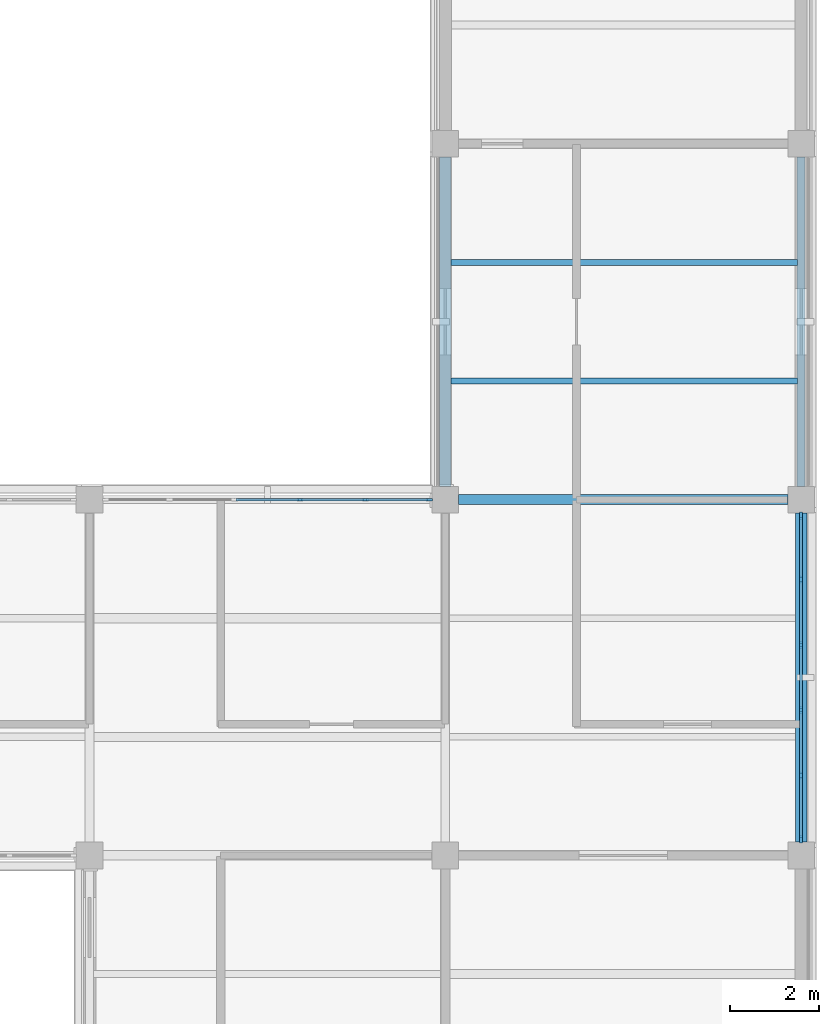
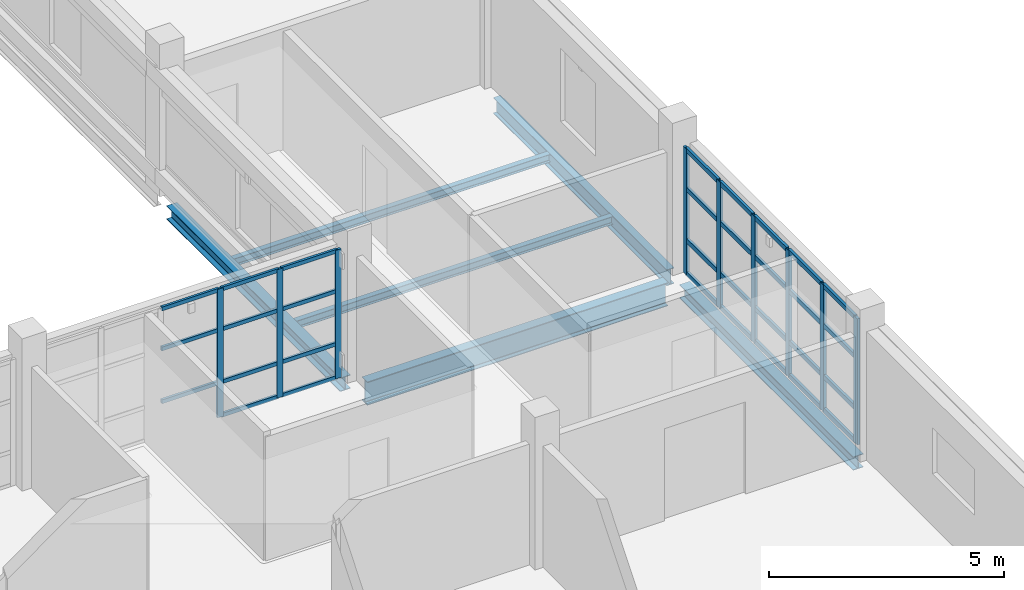
# One storey, part 56 of 126: 40 members, 6 beams, 2 elements without a shape of their own.
"""IFC4 building model written with IfcOpenShell, lengths in metres."""

import ifcopenshell
import ifcopenshell.guid

model = None  # the IFC model being written
_history = None  # IfcOwnerHistory: only IFC2X3 demands one
_inside = {}  # id of a spatial element -> (the spatial element, [elements in it])
_under = {}  # id of a project, library or spatial element -> (it, [spatial elements below it])
_declared = {}  # id of a project -> (the project, [libraries it declares])
_typed = {}  # id of a type object -> (the type object, [elements of that type])
_made_of = {}  # id of a material, layer set ... -> (it, [elements and type objects made of it])


def new_model(schema):
    """Start an empty IFC model of exactly this schema.

    Asked for "IFC4X3", IfcOpenShell would pick the latest addendum, in which some entities
    have other attributes; the version numbers below select the first issue.
    IFC2X3 requires an IfcOwnerHistory on every rooted entity: one is made here for all.
    """
    global model, _history
    if schema == "IFC4X3":
        model = ifcopenshell.file(schema_version=(4, 3, 0, 0))
    else:
        model = ifcopenshell.file(schema=schema)
    _inside.clear()
    _under.clear()
    _declared.clear()
    _typed.clear()
    _made_of.clear()
    _history = None
    if model.schema == "IFC2X3":
        org = make("IfcOrganization", Name="unknown")
        user = make(
            "IfcPersonAndOrganization",
            ThePerson=make("IfcPerson", FamilyName="unknown"),
            TheOrganization=org,
        )
        app = make(
            "IfcApplication",
            ApplicationDeveloper=org,
            Version="unknown",
            ApplicationFullName="unknown",
            ApplicationIdentifier="unknown",
        )
        _history = make(
            "IfcOwnerHistory",
            OwningUser=user,
            OwningApplication=app,
            ChangeAction="ADDED",
            CreationDate=0,
        )
    return model


def make(cls, **values):
    """One entity of the class cls with the attributes given. An attribute that is None is left unset."""
    return model.create_entity(
        cls, **{name: value for name, value in values.items() if value is not None}
    )


def rooted(cls, **values):
    """An entity with a GlobalId (a new one), such as an element, a storey or a relation."""
    return make(cls, GlobalId=ifcopenshell.guid.new(), OwnerHistory=_history, **values)


def si_unit(unit_type, name, prefix=None):
    """IfcSIUnit, for example si_unit("LENGTHUNIT", "METRE", prefix="MILLI")."""
    return make("IfcSIUnit", UnitType=unit_type, Prefix=prefix, Name=name)


def derived_unit(unit_type, elements):
    """IfcDerivedUnit: a product of units, each with its exponent."""
    return make(
        "IfcDerivedUnit",
        Elements=[
            make("IfcDerivedUnitElement", Unit=unit, Exponent=power)
            for unit, power in elements
        ],
        UnitType=unit_type,
    )


def assignment(units):
    """IfcUnitAssignment: the units of a project."""
    return None if units is None else make("IfcUnitAssignment", Units=units)


def point(xyz):
    """IfcCartesianPoint."""
    return None if xyz is None else make("IfcCartesianPoint", Coordinates=xyz)


def direction(xyz):
    """IfcDirection."""
    return None if xyz is None else make("IfcDirection", DirectionRatios=xyz)


def frame(location, z_axis=None, x_axis=None):
    """IfcAxis2Placement3D, a coordinate frame: its origin and axes. An axis left out is left unset."""
    return make(
        "IfcAxis2Placement3D",
        Location=point(location),
        Axis=direction(z_axis),
        RefDirection=direction(x_axis),
    )


def frame_2d(location, x_axis=None):
    """IfcAxis2Placement2D, a coordinate frame in the plane: its origin and x axis."""
    return make(
        "IfcAxis2Placement2D", Location=point(location), RefDirection=direction(x_axis)
    )


def origin():
    """The frame at (0, 0, 0) with its axes left unset."""
    return frame((0.0, 0.0, 0.0))


def origin_2d():
    """The frame at (0, 0) in the plane with its x axis left unset."""
    return frame_2d((0.0, 0.0))


def place(relative_to, where):
    """IfcLocalPlacement: puts the frame where relative to a parent placement (None: the world)."""
    return make(
        "IfcLocalPlacement", PlacementRelTo=relative_to, RelativePlacement=where
    )


def context(
    kind, dimensions, precision=None, world=None, true_north=None, identifier=None
):
    """IfcGeometricRepresentationContext, for example the 3D "Model" context."""
    return make(
        "IfcGeometricRepresentationContext",
        ContextIdentifier=identifier,
        ContextType=kind,
        CoordinateSpaceDimension=dimensions,
        Precision=precision,
        WorldCoordinateSystem=world,
        TrueNorth=true_north,
    )


def subcontext(parent, identifier, kind, view, scale=None):
    """IfcGeometricRepresentationSubContext, for example "Body" below "Model"."""
    return make(
        "IfcGeometricRepresentationSubContext",
        ContextIdentifier=identifier,
        ContextType=kind,
        ParentContext=parent,
        TargetScale=scale,
        TargetView=view,
    )


def project(units=None, contexts=None):
    """IfcProject with its units and contexts."""
    return rooted(
        "IfcProject",
        Name="project",
        RepresentationContexts=contexts,
        UnitsInContext=assignment(units),
    )


def spatial(cls, under=None, at=None, **own):
    """A site, building, storey or space (cls), placed at a placement, below another one or the project."""
    s = rooted(cls, ObjectPlacement=at, **own)
    if under is not None:
        _under.setdefault(under.id(), (under, []))[1].append(s)
    return s


def profile(cls, at=None, kind="AREA", **sizes):
    """A parametric profile (cls). Its sizes go by their IFC names, for example OverallWidth=200.0."""
    return make(cls, ProfileType=kind, Position=at, **sizes)


def rectangle(**sizes):
    """IfcRectangleProfileDef."""
    return profile("IfcRectangleProfileDef", **sizes)


def i_section(**sizes):
    """IfcIShapeProfileDef."""
    return profile("IfcIShapeProfileDef", **sizes)


def extrude(swept, where, along, depth):
    """IfcExtrudedAreaSolid: the profile swept, set in the frame where, extruded along a direction by depth."""
    return make(
        "IfcExtrudedAreaSolid",
        SweptArea=swept,
        Position=where,
        ExtrudedDirection=direction(along),
        Depth=depth,
    )


def shape(context_of_items, identifier, shape_type, items):
    """IfcShapeRepresentation: the items that make up one representation, for example the "Body"."""
    return make(
        "IfcShapeRepresentation",
        ContextOfItems=context_of_items,
        RepresentationIdentifier=identifier,
        RepresentationType=shape_type,
        Items=items,
    )


def material(Name=None, Category=None):
    """IfcMaterial."""
    return make("IfcMaterial", Name=Name, Category=Category)


def layer(
    of_material, thickness, ventilated=None, Name=None, Category=None, Priority=None
):
    """IfcMaterialLayer: one layer of a wall or slab, of a material (None: an air gap)."""
    return make(
        "IfcMaterialLayer",
        Material=of_material,
        LayerThickness=thickness,
        IsVentilated=ventilated,
        Name=Name,
        Category=Category,
        Priority=Priority,
    )


def layer_set(layers, Name=None):
    """IfcMaterialLayerSet."""
    return make("IfcMaterialLayerSet", MaterialLayers=layers, LayerSetName=Name)


def material_profile(
    of_material, cross_section, Name=None, Category=None, Priority=None
):
    """IfcMaterialProfile: a cross section and its material."""
    return make(
        "IfcMaterialProfile",
        Name=Name,
        Material=of_material,
        Profile=cross_section,
        Priority=Priority,
        Category=Category,
    )


def profile_set(profiles, Name=None, composite=None):
    """IfcMaterialProfileSet."""
    return make(
        "IfcMaterialProfileSet",
        Name=Name,
        MaterialProfiles=profiles,
        CompositeProfile=composite,
    )


def made_of(thing, what):
    """Note that an element or type object is made of a material, layer set ...; save() writes the relation."""
    if what is not None:
        _made_of.setdefault(what.id(), (what, []))[1].append(thing)
    return thing


def type_object(cls, material=None, **own):
    """A type object (cls), such as IfcWallType, which elements share."""
    return made_of(rooted(cls, **own), material)


def element(
    cls,
    number,
    at=None,
    inside=None,
    cuts=None,
    type_object=None,
    material=None,
    context=None,
    identifier="Body",
    shape_type=None,
    held_by="IfcProductDefinitionShape",
    body=None,
    shapes=None,
    **own,
):
    """One element of the class cls, such as IfcWall. Its Tag is "e" and its number.

    at: its placement. inside: the storey or other place that contains it. cuts: it is an
    opening in that element (IfcRelVoidsElement). A single representation is given by context,
    identifier, shape_type and body (its items); several are given by shapes. held_by: the class
    of the entity that holds the representations. save() writes the other relations.
    """
    e = rooted(cls, Tag="e%d" % number, ObjectPlacement=at, **own)
    if body is not None:
        shapes = [shape(context, identifier, shape_type, body)]
    if shapes is not None:
        e.Representation = make(held_by, Representations=shapes)
    if inside is not None:
        _inside.setdefault(inside.id(), (inside, []))[1].append(e)
    if cuts is not None:
        rooted(
            "IfcRelVoidsElement", RelatingBuildingElement=cuts, RelatedOpeningElement=e
        )
    if type_object is not None:
        _typed.setdefault(type_object.id(), (type_object, []))[1].append(e)
    return made_of(e, material)


def aggregate(whole, parts):
    """IfcRelAggregates: a whole, such as a stair, and the parts it consists of."""
    return rooted("IfcRelAggregates", RelatingObject=whole, RelatedObjects=parts)


def save(model, path):
    """Write the relations noted so far, then the file.

    IfcRelAggregates (storeys below a building ...), IfcRelContainedInSpatialStructure (elements
    in a storey), IfcRelDefinesByType, IfcRelAssociatesMaterial and IfcRelDeclares: one each for
    every whole, place, type object, material and project.
    """
    for whole, parts in _under.values():
        aggregate(whole, parts)
    for where, things in _inside.values():
        rooted(
            "IfcRelContainedInSpatialStructure",
            RelatedElements=things,
            RelatingStructure=where,
        )
    for kind, things in _typed.values():
        rooted("IfcRelDefinesByType", RelatedObjects=things, RelatingType=kind)
    for what, things in _made_of.values():
        rooted("IfcRelAssociatesMaterial", RelatedObjects=things, RelatingMaterial=what)
    for by, libraries in _declared.values():
        rooted("IfcRelDeclares", RelatingContext=by, RelatedDefinitions=libraries)
    model.write(path)


model = new_model("IFC4")

# Units and contexts
model_context = context("Model", 3, precision=1e-05, world=origin(), true_north=direction((0.0, 1.0)))
body_context = subcontext(model_context, "Body", "Model", "MODEL_VIEW")
ifc_project = project(units=[si_unit("LENGTHUNIT", "METRE"), si_unit("AREAUNIT", "SQUARE_METRE"), si_unit("VOLUMEUNIT", "CUBIC_METRE"), si_unit("PLANEANGLEUNIT", "RADIAN"), si_unit("MASSUNIT", "GRAM", prefix="KILO"), derived_unit("THERMALTRANSMITTANCEUNIT", [(si_unit("MASSUNIT", "GRAM", prefix="KILO"), 1), (si_unit("TIMEUNIT", "SECOND"), -3), (si_unit("THERMODYNAMICTEMPERATUREUNIT", "KELVIN"), -1)])], contexts=[model_context])

# Site, building, storey
site_placement = place(None, origin())
site = spatial("IfcSite", under=ifc_project, at=site_placement, CompositionType="ELEMENT")
building_placement = place(site_placement, origin())
building = spatial("IfcBuilding", under=site, at=building_placement, Name="Veyamyaing Civic Hall", CompositionType="ELEMENT")
storey_placement = place(building_placement, frame((0.0, 0.0, 9.89990234375)))
storey = spatial("IfcBuildingStorey", under=building, at=storey_placement, Name="L02", CompositionType="ELEMENT", Elevation=9.89990234375)

# Beams
ifc_material_1 = material(Name="Steel ASTM A992", Category="steel")
ifc_material_profile_1 = material_profile(ifc_material_1, i_section(OverallWidth=0.22802734375, OverallDepth=0.60791015625, WebThickness=0.01123046875, FlangeThickness=0.017333984375, FilletRadius=0.012939453125, at=origin_2d()), Name="W610X113")
ifc_profile_set_1 = profile_set([ifc_material_profile_1], Name="Steel ASTM A992")
beam_type_1 = type_object("IfcBeamType", Name="B-06", PredefinedType="BEAM", material=ifc_profile_set_1)
beam_1_placement = place(storey_placement, frame((168.300048828125, 56.0, -0.5888671875), z_axis=(1.0, 0.0, 0.0), x_axis=(0.0, 1.0, 0.0)))
element("IfcBeam", 1, at=beam_1_placement, inside=storey, type_object=beam_type_1, Name="Girder B-06 L02 Grid H 22-23", PredefinedType="BEAM", context=body_context, shape_type="SweptSolid", body=[
    extrude(i_section(OverallWidth=0.22802734375, OverallDepth=0.60791015625, WebThickness=0.01123046875, FlangeThickness=0.017333984375, FilletRadius=0.012939453125, at=origin_2d()), origin(), (0.0, 0.0, 1.0), 7.39990234375),
])
ifc_material_profile_2 = material_profile(ifc_material_1, i_section(OverallWidth=0.179931640625, OverallDepth=0.4130859375, WebThickness=0.009765625, FlangeThickness=0.01611328125, FilletRadius=0.010009765625, at=origin_2d()), Name="W410X74")
ifc_profile_set_2 = profile_set([ifc_material_profile_2], Name="Steel ASTM A992")
beam_type_2 = type_object("IfcBeamType", Name="B-10", PredefinedType="SPANDREL", material=ifc_profile_set_2)
beam_2_placement = place(storey_placement, frame((176.0, 56.300048828125, -0.491455078125), z_axis=(0.0, 1.0, 0.0), x_axis=(-1.0, 0.0, 0.0)))
element("IfcBeam", 2, at=beam_2_placement, inside=storey, type_object=beam_type_2, Name="Girder B-10 L02 Grid 23 H-J", PredefinedType="SPANDREL", context=body_context, shape_type="SweptSolid", body=[
    extrude(i_section(OverallWidth=0.179931640625, OverallDepth=0.4130859375, WebThickness=0.009765625, FlangeThickness=0.01611328125, FilletRadius=0.010009765625, at=origin_2d()), origin(), (0.0, 0.0, 1.0), 7.39990234375),
])
ifc_material_profile_3 = material_profile(ifc_material_1, i_section(OverallWidth=0.25390625, OverallDepth=0.35302734375, WebThickness=0.009521484375, FlangeThickness=0.016357421875, FilletRadius=0.011962890625, at=origin_2d()), Name="W360X91")
ifc_profile_set_3 = profile_set([ifc_material_profile_3], Name="Steel ASTM A992")
beam_type_3 = type_object("IfcBeamType", Name="B-20", PredefinedType="SPANDREL", material=ifc_profile_set_3)
for number, where, z_axis, x_axis, name in (
    (3, (168.0, 56.300048828125, -0.46142578125), (0.0, 1.0, 0.0), (-1.0, 0.0, 0.0), "Girder B-20 L02 Grid 22 H-J"),
    (4, (176.0, 48.300048828125, -0.46142578125), (0.0, 1.0, 0.0), (-1.0, 0.0, 0.0), "Girder B-20 L02 Grid 23 G-H"),
):
    element("IfcBeam", number, at=place(storey_placement, frame(where, z_axis=z_axis, x_axis=x_axis)), inside=storey, type_object=beam_type_3, Name=name, PredefinedType="SPANDREL", context=body_context, shape_type="SweptSolid", body=[
        extrude(i_section(OverallWidth=0.25390625, OverallDepth=0.35302734375, WebThickness=0.009521484375, FlangeThickness=0.016357421875, FilletRadius=0.011962890625, at=origin_2d()), origin(), (0.0, 0.0, 1.0), 7.39990234375),
    ])

# Curtain wall, members
ifc_material_2 = material(Name="Anodised aluminium 6063-T6", Category="aluminium")
ifc_layer_1 = layer(ifc_material_2, 0.159912109375, Name="Anodised aluminium 6063-T6")
ifc_layer_set_1 = layer_set([ifc_layer_1], Name="Anodised aluminium 6063-T6")
curtain_wall_type_1 = type_object("IfcCurtainWallType", Name="CW-03", PredefinedType="NOTDEFINED", material=ifc_layer_set_1)
curtain_wall_1_placement = place(storey_placement, origin())
curtain_wall_1 = element("IfcCurtainWall", 5, at=curtain_wall_1_placement, inside=storey, type_object=curtain_wall_type_1, Name="Unitized curtain wall CW-03 L02 E 22.7", PredefinedType="NOTDEFINED")
ifc_material_profile_4 = material_profile(ifc_material_2, rectangle(XDim=0.06494140625, YDim=0.159912109375, at=origin_2d()), Name="ALU-MUL-65X160")
ifc_profile_set_4 = profile_set([ifc_material_profile_4], Name="Anodised aluminium 6063-T6")
member_type_1 = type_object("IfcMemberType", Name="CWM-01", PredefinedType="MULLION", material=ifc_profile_set_4)
member_1_placement = place(storey_placement, frame((176.0, 48.362548828125, 0.0), z_axis=(0.0, 0.0, 1.0), x_axis=(-1.0, 0.0, 0.0)))
member_1 = element("IfcMember", 6, at=member_1_placement, type_object=member_type_1, Name="CW-03 mullion 1", PredefinedType="MULLION", context=body_context, shape_type="SweptSolid", body=[
    extrude(rectangle(XDim=0.06494140625, YDim=0.159912109375, at=origin_2d()), origin(), (0.0, 0.0, 1.0), 3.2841796875),
])
member_2_placement = place(storey_placement, frame((176.0, 49.798095703125, 0.0), z_axis=(0.0, 0.0, 1.0), x_axis=(-1.0, 0.0, 0.0)))
member_2 = element("IfcMember", 7, at=member_2_placement, type_object=member_type_1, Name="CW-03 mullion 2", PredefinedType="MULLION", context=body_context, shape_type="SweptSolid", body=[
    extrude(rectangle(XDim=0.06494140625, YDim=0.159912109375, at=origin_2d()), origin(), (0.0, 0.0, 1.0), 3.2841796875),
])
member_3_placement = place(storey_placement, frame((176.0, 51.26611328125, 0.0), z_axis=(0.0, 0.0, 1.0), x_axis=(-1.0, 0.0, 0.0)))
member_3 = element("IfcMember", 8, at=member_3_placement, type_object=member_type_1, Name="CW-03 mullion 3", PredefinedType="MULLION", context=body_context, shape_type="SweptSolid", body=[
    extrude(rectangle(XDim=0.06494140625, YDim=0.159912109375, at=origin_2d()), origin(), (0.0, 0.0, 1.0), 3.2841796875),
])
member_4_placement = place(storey_placement, frame((176.0, 52.73388671875, 0.0), z_axis=(0.0, 0.0, 1.0), x_axis=(-1.0, 0.0, 0.0)))
member_4 = element("IfcMember", 9, at=member_4_placement, type_object=member_type_1, Name="CW-03 mullion 4", PredefinedType="MULLION", context=body_context, shape_type="SweptSolid", body=[
    extrude(rectangle(XDim=0.06494140625, YDim=0.159912109375, at=origin_2d()), origin(), (0.0, 0.0, 1.0), 3.2841796875),
])
member_5_placement = place(storey_placement, frame((176.0, 54.201904296875, 0.0), z_axis=(0.0, 0.0, 1.0), x_axis=(-1.0, 0.0, 0.0)))
member_5 = element("IfcMember", 10, at=member_5_placement, type_object=member_type_1, Name="CW-03 mullion 5", PredefinedType="MULLION", context=body_context, shape_type="SweptSolid", body=[
    extrude(rectangle(XDim=0.06494140625, YDim=0.159912109375, at=origin_2d()), origin(), (0.0, 0.0, 1.0), 3.2841796875),
])
member_6_placement = place(storey_placement, frame((176.0, 55.637451171875, 0.0), z_axis=(0.0, 0.0, 1.0), x_axis=(-1.0, 0.0, 0.0)))
member_6 = element("IfcMember", 11, at=member_6_placement, type_object=member_type_1, Name="CW-03 mullion 6", PredefinedType="MULLION", context=body_context, shape_type="SweptSolid", body=[
    extrude(rectangle(XDim=0.06494140625, YDim=0.159912109375, at=origin_2d()), origin(), (0.0, 0.0, 1.0), 3.2841796875),
])

ifc_layer_2 = layer(ifc_material_2, 0.139892578125, Name="Anodised aluminium 6063-T6")
ifc_layer_set_2 = layer_set([ifc_layer_2], Name="Anodised aluminium 6063-T6")
curtain_wall_type_2 = type_object("IfcCurtainWallType", Name="CW-04", PredefinedType="NOTDEFINED", material=ifc_layer_set_2)
curtain_wall_2_placement = place(storey_placement, origin())
curtain_wall_2 = element("IfcCurtainWall", 12, at=curtain_wall_2_placement, inside=storey, type_object=curtain_wall_type_2, Name="Unitized curtain wall CW-04 L02 N 21.7", PredefinedType="NOTDEFINED")
ifc_material_profile_5 = material_profile(ifc_material_2, rectangle(XDim=0.06005859375, YDim=0.139892578125, at=origin_2d()), Name="ALU-MUL-60X140")
ifc_profile_set_5 = profile_set([ifc_material_profile_5], Name="Anodised aluminium 6063-T6")
member_type_2 = type_object("IfcMemberType", Name="CWM-03", PredefinedType="MULLION", material=ifc_profile_set_5)
member_7_placement = place(storey_placement, frame((164.73388671875, 56.0, 0.0), z_axis=(0.0, 0.0, 1.0), x_axis=(0.0, 1.0, 0.0)))
member_7 = element("IfcMember", 13, at=member_7_placement, type_object=member_type_2, Name="CW-04 mullion 4", PredefinedType="MULLION", context=body_context, shape_type="SweptSolid", body=[
    extrude(rectangle(XDim=0.06005859375, YDim=0.139892578125, at=origin_2d()), origin(), (0.0, 0.0, 1.0), 3.343994140625),
])
member_8_placement = place(storey_placement, frame((166.201904296875, 56.0, 0.0), z_axis=(0.0, 0.0, 1.0), x_axis=(0.0, 1.0, 0.0)))
member_8 = element("IfcMember", 14, at=member_8_placement, type_object=member_type_2, Name="CW-04 mullion 5", PredefinedType="MULLION", context=body_context, shape_type="SweptSolid", body=[
    extrude(rectangle(XDim=0.06005859375, YDim=0.139892578125, at=origin_2d()), origin(), (0.0, 0.0, 1.0), 3.343994140625),
])
member_9_placement = place(storey_placement, frame((167.639892578125, 56.0, 0.0), z_axis=(0.0, 0.0, 1.0), x_axis=(0.0, 1.0, 0.0)))
member_9 = element("IfcMember", 15, at=member_9_placement, type_object=member_type_2, Name="CW-04 mullion 6", PredefinedType="MULLION", context=body_context, shape_type="SweptSolid", body=[
    extrude(rectangle(XDim=0.06005859375, YDim=0.139892578125, at=origin_2d()), origin(), (0.0, 0.0, 1.0), 3.343994140625),
])

# Member
ifc_material_profile_6 = material_profile(ifc_material_2, rectangle(XDim=0.06494140625, YDim=0.1201171875, at=origin_2d()), Name="ALU-TRN-65X120")
ifc_profile_set_6 = profile_set([ifc_material_profile_6], Name="Anodised aluminium 6063-T6")
member_type_3 = type_object("IfcMemberType", Name="CWT-01", PredefinedType="USERDEFINED", material=ifc_profile_set_6)
member_10_placement = place(storey_placement, frame((176.0, 48.39501953125, 0.03271484375), z_axis=(0.0, 1.0, 0.0), x_axis=(-1.0, 0.0, 0.0)))
member_10 = element("IfcMember", 16, at=member_10_placement, type_object=member_type_3, Name="CW-03 transom 1.1", ObjectType="TRANSOM", PredefinedType="USERDEFINED", context=body_context, shape_type="SweptSolid", body=[
    extrude(rectangle(XDim=0.06494140625, YDim=0.1201171875, at=origin_2d()), origin(), (0.0, 0.0, 1.0), 1.370361328125),
])

member_11_placement = place(storey_placement, frame((176.0, 48.39501953125, 0.900146484375), z_axis=(0.0, 1.0, 0.0), x_axis=(-1.0, 0.0, 0.0)))
member_11 = element("IfcMember", 17, at=member_11_placement, type_object=member_type_3, Name="CW-03 transom 1.2", ObjectType="TRANSOM", PredefinedType="USERDEFINED", context=body_context, shape_type="SweptSolid", body=[
    extrude(rectangle(XDim=0.06494140625, YDim=0.1201171875, at=origin_2d()), origin(), (0.0, 0.0, 1.0), 1.370361328125),
])

member_12_placement = place(storey_placement, frame((176.0, 48.39501953125, 2.233154296875), z_axis=(0.0, 1.0, 0.0), x_axis=(-1.0, 0.0, 0.0)))
member_12 = element("IfcMember", 18, at=member_12_placement, type_object=member_type_3, Name="CW-03 transom 1.3", ObjectType="TRANSOM", PredefinedType="USERDEFINED", context=body_context, shape_type="SweptSolid", body=[
    extrude(rectangle(XDim=0.06494140625, YDim=0.1201171875, at=origin_2d()), origin(), (0.0, 0.0, 1.0), 1.370361328125),
])

member_13_placement = place(storey_placement, frame((176.0, 48.39501953125, 3.251708984375), z_axis=(0.0, 1.0, 0.0), x_axis=(-1.0, 0.0, 0.0)))
member_13 = element("IfcMember", 19, at=member_13_placement, type_object=member_type_3, Name="CW-03 transom 1.4", ObjectType="TRANSOM", PredefinedType="USERDEFINED", context=body_context, shape_type="SweptSolid", body=[
    extrude(rectangle(XDim=0.06494140625, YDim=0.1201171875, at=origin_2d()), origin(), (0.0, 0.0, 1.0), 1.370361328125),
])

member_14_placement = place(storey_placement, frame((176.0, 49.83056640625, 0.03271484375), z_axis=(0.0, 1.0, 0.0), x_axis=(-1.0, 0.0, 0.0)))
member_14 = element("IfcMember", 20, at=member_14_placement, type_object=member_type_3, Name="CW-03 transom 2.1", ObjectType="TRANSOM", PredefinedType="USERDEFINED", context=body_context, shape_type="SweptSolid", body=[
    extrude(rectangle(XDim=0.06494140625, YDim=0.1201171875, at=origin_2d()), origin(), (0.0, 0.0, 1.0), 1.40283203125),
])

member_15_placement = place(storey_placement, frame((176.0, 49.83056640625, 0.900146484375), z_axis=(0.0, 1.0, 0.0), x_axis=(-1.0, 0.0, 0.0)))
member_15 = element("IfcMember", 21, at=member_15_placement, type_object=member_type_3, Name="CW-03 transom 2.2", ObjectType="TRANSOM", PredefinedType="USERDEFINED", context=body_context, shape_type="SweptSolid", body=[
    extrude(rectangle(XDim=0.06494140625, YDim=0.1201171875, at=origin_2d()), origin(), (0.0, 0.0, 1.0), 1.40283203125),
])

member_16_placement = place(storey_placement, frame((176.0, 49.83056640625, 2.233154296875), z_axis=(0.0, 1.0, 0.0), x_axis=(-1.0, 0.0, 0.0)))
member_16 = element("IfcMember", 22, at=member_16_placement, type_object=member_type_3, Name="CW-03 transom 2.3", ObjectType="TRANSOM", PredefinedType="USERDEFINED", context=body_context, shape_type="SweptSolid", body=[
    extrude(rectangle(XDim=0.06494140625, YDim=0.1201171875, at=origin_2d()), origin(), (0.0, 0.0, 1.0), 1.40283203125),
])

member_17_placement = place(storey_placement, frame((176.0, 49.83056640625, 3.251708984375), z_axis=(0.0, 1.0, 0.0), x_axis=(-1.0, 0.0, 0.0)))
member_17 = element("IfcMember", 23, at=member_17_placement, type_object=member_type_3, Name="CW-03 transom 2.4", ObjectType="TRANSOM", PredefinedType="USERDEFINED", context=body_context, shape_type="SweptSolid", body=[
    extrude(rectangle(XDim=0.06494140625, YDim=0.1201171875, at=origin_2d()), origin(), (0.0, 0.0, 1.0), 1.40283203125),
])

member_18_placement = place(storey_placement, frame((176.0, 51.298583984375, 0.03271484375), z_axis=(0.0, 1.0, 0.0), x_axis=(-1.0, 0.0, 0.0)))
member_18 = element("IfcMember", 24, at=member_18_placement, type_object=member_type_3, Name="CW-03 transom 3.1", ObjectType="TRANSOM", PredefinedType="USERDEFINED", context=body_context, shape_type="SweptSolid", body=[
    extrude(rectangle(XDim=0.06494140625, YDim=0.1201171875, at=origin_2d()), origin(), (0.0, 0.0, 1.0), 1.40283203125),
])

member_19_placement = place(storey_placement, frame((176.0, 51.298583984375, 0.900146484375), z_axis=(0.0, 1.0, 0.0), x_axis=(-1.0, 0.0, 0.0)))
member_19 = element("IfcMember", 25, at=member_19_placement, type_object=member_type_3, Name="CW-03 transom 3.2", ObjectType="TRANSOM", PredefinedType="USERDEFINED", context=body_context, shape_type="SweptSolid", body=[
    extrude(rectangle(XDim=0.06494140625, YDim=0.1201171875, at=origin_2d()), origin(), (0.0, 0.0, 1.0), 1.40283203125),
])

member_20_placement = place(storey_placement, frame((176.0, 51.298583984375, 2.233154296875), z_axis=(0.0, 1.0, 0.0), x_axis=(-1.0, 0.0, 0.0)))
member_20 = element("IfcMember", 26, at=member_20_placement, type_object=member_type_3, Name="CW-03 transom 3.3", ObjectType="TRANSOM", PredefinedType="USERDEFINED", context=body_context, shape_type="SweptSolid", body=[
    extrude(rectangle(XDim=0.06494140625, YDim=0.1201171875, at=origin_2d()), origin(), (0.0, 0.0, 1.0), 1.40283203125),
])

member_21_placement = place(storey_placement, frame((176.0, 51.298583984375, 3.251708984375), z_axis=(0.0, 1.0, 0.0), x_axis=(-1.0, 0.0, 0.0)))
member_21 = element("IfcMember", 27, at=member_21_placement, type_object=member_type_3, Name="CW-03 transom 3.4", ObjectType="TRANSOM", PredefinedType="USERDEFINED", context=body_context, shape_type="SweptSolid", body=[
    extrude(rectangle(XDim=0.06494140625, YDim=0.1201171875, at=origin_2d()), origin(), (0.0, 0.0, 1.0), 1.40283203125),
])

member_22_placement = place(storey_placement, frame((176.0, 52.7666015625, 0.03271484375), z_axis=(0.0, 1.0, 0.0), x_axis=(-1.0, 0.0, 0.0)))
member_22 = element("IfcMember", 28, at=member_22_placement, type_object=member_type_3, Name="CW-03 transom 4.1", ObjectType="TRANSOM", PredefinedType="USERDEFINED", context=body_context, shape_type="SweptSolid", body=[
    extrude(rectangle(XDim=0.06494140625, YDim=0.1201171875, at=origin_2d()), origin(), (0.0, 0.0, 1.0), 1.40283203125),
])

member_23_placement = place(storey_placement, frame((176.0, 52.7666015625, 0.900146484375), z_axis=(0.0, 1.0, 0.0), x_axis=(-1.0, 0.0, 0.0)))
member_23 = element("IfcMember", 29, at=member_23_placement, type_object=member_type_3, Name="CW-03 transom 4.2", ObjectType="TRANSOM", PredefinedType="USERDEFINED", context=body_context, shape_type="SweptSolid", body=[
    extrude(rectangle(XDim=0.06494140625, YDim=0.1201171875, at=origin_2d()), origin(), (0.0, 0.0, 1.0), 1.40283203125),
])

member_24_placement = place(storey_placement, frame((176.0, 52.7666015625, 2.233154296875), z_axis=(0.0, 1.0, 0.0), x_axis=(-1.0, 0.0, 0.0)))
member_24 = element("IfcMember", 30, at=member_24_placement, type_object=member_type_3, Name="CW-03 transom 4.3", ObjectType="TRANSOM", PredefinedType="USERDEFINED", context=body_context, shape_type="SweptSolid", body=[
    extrude(rectangle(XDim=0.06494140625, YDim=0.1201171875, at=origin_2d()), origin(), (0.0, 0.0, 1.0), 1.40283203125),
])

member_25_placement = place(storey_placement, frame((176.0, 52.7666015625, 3.251708984375), z_axis=(0.0, 1.0, 0.0), x_axis=(-1.0, 0.0, 0.0)))
member_25 = element("IfcMember", 31, at=member_25_placement, type_object=member_type_3, Name="CW-03 transom 4.4", ObjectType="TRANSOM", PredefinedType="USERDEFINED", context=body_context, shape_type="SweptSolid", body=[
    extrude(rectangle(XDim=0.06494140625, YDim=0.1201171875, at=origin_2d()), origin(), (0.0, 0.0, 1.0), 1.40283203125),
])

member_26_placement = place(storey_placement, frame((176.0, 54.234619140625, 0.03271484375), z_axis=(0.0, 1.0, 0.0), x_axis=(-1.0, 0.0, 0.0)))
member_26 = element("IfcMember", 32, at=member_26_placement, type_object=member_type_3, Name="CW-03 transom 5.1", ObjectType="TRANSOM", PredefinedType="USERDEFINED", context=body_context, shape_type="SweptSolid", body=[
    extrude(rectangle(XDim=0.06494140625, YDim=0.1201171875, at=origin_2d()), origin(), (0.0, 0.0, 1.0), 1.370361328125),
])

member_27_placement = place(storey_placement, frame((176.0, 54.234619140625, 0.900146484375), z_axis=(0.0, 1.0, 0.0), x_axis=(-1.0, 0.0, 0.0)))
member_27 = element("IfcMember", 33, at=member_27_placement, type_object=member_type_3, Name="CW-03 transom 5.2", ObjectType="TRANSOM", PredefinedType="USERDEFINED", context=body_context, shape_type="SweptSolid", body=[
    extrude(rectangle(XDim=0.06494140625, YDim=0.1201171875, at=origin_2d()), origin(), (0.0, 0.0, 1.0), 1.370361328125),
])

member_28_placement = place(storey_placement, frame((176.0, 54.234619140625, 2.233154296875), z_axis=(0.0, 1.0, 0.0), x_axis=(-1.0, 0.0, 0.0)))
member_28 = element("IfcMember", 34, at=member_28_placement, type_object=member_type_3, Name="CW-03 transom 5.3", ObjectType="TRANSOM", PredefinedType="USERDEFINED", context=body_context, shape_type="SweptSolid", body=[
    extrude(rectangle(XDim=0.06494140625, YDim=0.1201171875, at=origin_2d()), origin(), (0.0, 0.0, 1.0), 1.370361328125),
])

member_29_placement = place(storey_placement, frame((176.0, 54.234619140625, 3.251708984375), z_axis=(0.0, 1.0, 0.0), x_axis=(-1.0, 0.0, 0.0)))
member_29 = element("IfcMember", 35, at=member_29_placement, type_object=member_type_3, Name="CW-03 transom 5.4", ObjectType="TRANSOM", PredefinedType="USERDEFINED", context=body_context, shape_type="SweptSolid", body=[
    extrude(rectangle(XDim=0.06494140625, YDim=0.1201171875, at=origin_2d()), origin(), (0.0, 0.0, 1.0), 1.370361328125),
])

aggregate(curtain_wall_1, [member_1, member_2, member_3, member_4, member_5, member_6, member_10, member_11, member_12, member_13, member_14, member_15, member_16, member_17, member_18, member_19, member_20, member_21, member_22, member_23, member_24, member_25, member_26, member_27, member_28, member_29])

ifc_material_profile_7 = material_profile(ifc_material_2, rectangle(XDim=0.06005859375, YDim=0.10009765625, at=origin_2d()), Name="ALU-TRN-60X100")
ifc_profile_set_7 = profile_set([ifc_material_profile_7], Name="Anodised aluminium 6063-T6")
member_type_4 = type_object("IfcMemberType", Name="CWT-03", PredefinedType="USERDEFINED", material=ifc_profile_set_7)
member_30_placement = place(storey_placement, frame((163.2958984375, 56.0, 0.900146484375), z_axis=(1.0, 0.0, 0.0), x_axis=(0.0, 1.0, 0.0)))
member_30 = element("IfcMember", 36, at=member_30_placement, type_object=member_type_4, Name="CW-04 transom 3.2", ObjectType="TRANSOM", PredefinedType="USERDEFINED", context=body_context, shape_type="SweptSolid", body=[
    extrude(rectangle(XDim=0.06005859375, YDim=0.10009765625, at=origin_2d()), origin(), (0.0, 0.0, 1.0), 1.408203125),
])

member_31_placement = place(storey_placement, frame((163.2958984375, 56.0, 2.27392578125), z_axis=(1.0, 0.0, 0.0), x_axis=(0.0, 1.0, 0.0)))
member_31 = element("IfcMember", 37, at=member_31_placement, type_object=member_type_4, Name="CW-04 transom 3.3", ObjectType="TRANSOM", PredefinedType="USERDEFINED", context=body_context, shape_type="SweptSolid", body=[
    extrude(rectangle(XDim=0.06005859375, YDim=0.10009765625, at=origin_2d()), origin(), (0.0, 0.0, 1.0), 1.408203125),
])

member_32_placement = place(storey_placement, frame((163.2958984375, 56.0, 3.314208984375), z_axis=(1.0, 0.0, 0.0), x_axis=(0.0, 1.0, 0.0)))
member_32 = element("IfcMember", 38, at=member_32_placement, type_object=member_type_4, Name="CW-04 transom 3.4", ObjectType="TRANSOM", PredefinedType="USERDEFINED", context=body_context, shape_type="SweptSolid", body=[
    extrude(rectangle(XDim=0.06005859375, YDim=0.10009765625, at=origin_2d()), origin(), (0.0, 0.0, 1.0), 1.408203125),
])

member_33_placement = place(storey_placement, frame((164.763916015625, 56.0, 0.030029296875), z_axis=(1.0, 0.0, 0.0), x_axis=(0.0, 1.0, 0.0)))
member_33 = element("IfcMember", 39, at=member_33_placement, type_object=member_type_4, Name="CW-04 transom 4.1", ObjectType="TRANSOM", PredefinedType="USERDEFINED", context=body_context, shape_type="SweptSolid", body=[
    extrude(rectangle(XDim=0.06005859375, YDim=0.10009765625, at=origin_2d()), origin(), (0.0, 0.0, 1.0), 1.408203125),
])

member_34_placement = place(storey_placement, frame((164.763916015625, 56.0, 0.900146484375), z_axis=(1.0, 0.0, 0.0), x_axis=(0.0, 1.0, 0.0)))
member_34 = element("IfcMember", 40, at=member_34_placement, type_object=member_type_4, Name="CW-04 transom 4.2", ObjectType="TRANSOM", PredefinedType="USERDEFINED", context=body_context, shape_type="SweptSolid", body=[
    extrude(rectangle(XDim=0.06005859375, YDim=0.10009765625, at=origin_2d()), origin(), (0.0, 0.0, 1.0), 1.408203125),
])

member_35_placement = place(storey_placement, frame((164.763916015625, 56.0, 2.27392578125), z_axis=(1.0, 0.0, 0.0), x_axis=(0.0, 1.0, 0.0)))
member_35 = element("IfcMember", 41, at=member_35_placement, type_object=member_type_4, Name="CW-04 transom 4.3", ObjectType="TRANSOM", PredefinedType="USERDEFINED", context=body_context, shape_type="SweptSolid", body=[
    extrude(rectangle(XDim=0.06005859375, YDim=0.10009765625, at=origin_2d()), origin(), (0.0, 0.0, 1.0), 1.408203125),
])

member_36_placement = place(storey_placement, frame((164.763916015625, 56.0, 3.314208984375), z_axis=(1.0, 0.0, 0.0), x_axis=(0.0, 1.0, 0.0)))
member_36 = element("IfcMember", 42, at=member_36_placement, type_object=member_type_4, Name="CW-04 transom 4.4", ObjectType="TRANSOM", PredefinedType="USERDEFINED", context=body_context, shape_type="SweptSolid", body=[
    extrude(rectangle(XDim=0.06005859375, YDim=0.10009765625, at=origin_2d()), origin(), (0.0, 0.0, 1.0), 1.408203125),
])

member_37_placement = place(storey_placement, frame((166.23193359375, 56.0, 0.030029296875), z_axis=(1.0, 0.0, 0.0), x_axis=(0.0, 1.0, 0.0)))
member_37 = element("IfcMember", 43, at=member_37_placement, type_object=member_type_4, Name="CW-04 transom 5.1", ObjectType="TRANSOM", PredefinedType="USERDEFINED", context=body_context, shape_type="SweptSolid", body=[
    extrude(rectangle(XDim=0.06005859375, YDim=0.10009765625, at=origin_2d()), origin(), (0.0, 0.0, 1.0), 1.378173828125),
])

member_38_placement = place(storey_placement, frame((166.23193359375, 56.0, 0.900146484375), z_axis=(1.0, 0.0, 0.0), x_axis=(0.0, 1.0, 0.0)))
member_38 = element("IfcMember", 44, at=member_38_placement, type_object=member_type_4, Name="CW-04 transom 5.2", ObjectType="TRANSOM", PredefinedType="USERDEFINED", context=body_context, shape_type="SweptSolid", body=[
    extrude(rectangle(XDim=0.06005859375, YDim=0.10009765625, at=origin_2d()), origin(), (0.0, 0.0, 1.0), 1.378173828125),
])

member_39_placement = place(storey_placement, frame((166.23193359375, 56.0, 2.27392578125), z_axis=(1.0, 0.0, 0.0), x_axis=(0.0, 1.0, 0.0)))
member_39 = element("IfcMember", 45, at=member_39_placement, type_object=member_type_4, Name="CW-04 transom 5.3", ObjectType="TRANSOM", PredefinedType="USERDEFINED", context=body_context, shape_type="SweptSolid", body=[
    extrude(rectangle(XDim=0.06005859375, YDim=0.10009765625, at=origin_2d()), origin(), (0.0, 0.0, 1.0), 1.378173828125),
])

member_40_placement = place(storey_placement, frame((166.23193359375, 56.0, 3.314208984375), z_axis=(1.0, 0.0, 0.0), x_axis=(0.0, 1.0, 0.0)))
member_40 = element("IfcMember", 46, at=member_40_placement, type_object=member_type_4, Name="CW-04 transom 5.4", ObjectType="TRANSOM", PredefinedType="USERDEFINED", context=body_context, shape_type="SweptSolid", body=[
    extrude(rectangle(XDim=0.06005859375, YDim=0.10009765625, at=origin_2d()), origin(), (0.0, 0.0, 1.0), 1.378173828125),
])

aggregate(curtain_wall_2, [member_7, member_8, member_9, member_30, member_31, member_32, member_33, member_34, member_35, member_36, member_37, member_38, member_39, member_40])

# Beams
ifc_material_profile_8 = material_profile(ifc_material_1, i_section(OverallWidth=0.133056640625, OverallDepth=0.20703125, WebThickness=0.005859375, FlangeThickness=0.00830078125, FilletRadius=0.010009765625, at=origin_2d()), Name="W200X27")
ifc_profile_set_8 = profile_set([ifc_material_profile_8], Name="Steel ASTM A992")
beam_type_4 = type_object("IfcBeamType", Name="J-08", PredefinedType="JOIST", material=ifc_profile_set_8)
for number, where, z_axis, x_axis, name in (
    (47, (168.125, 58.666748046875, -0.388427734375), (1.0, 0.0, 0.0), (0.0, 1.0, 0.0), "Composite floor joist J-08 L02 22.8.1"),
    (48, (168.125, 61.333251953125, -0.388427734375), (1.0, 0.0, 0.0), (0.0, 1.0, 0.0), "Composite floor joist J-08 L02 22.8.2"),
):
    element("IfcBeam", number, at=place(storey_placement, frame(where, z_axis=z_axis, x_axis=x_axis)), inside=storey, type_object=beam_type_4, Name=name, PredefinedType="JOIST", context=body_context, shape_type="SweptSolid", body=[
        extrude(i_section(OverallWidth=0.133056640625, OverallDepth=0.20703125, WebThickness=0.005859375, FlangeThickness=0.00830078125, FilletRadius=0.010009765625, at=origin_2d()), origin(), (0.0, 0.0, 1.0), 7.787109375),
    ])

save(model, "model.ifc")
